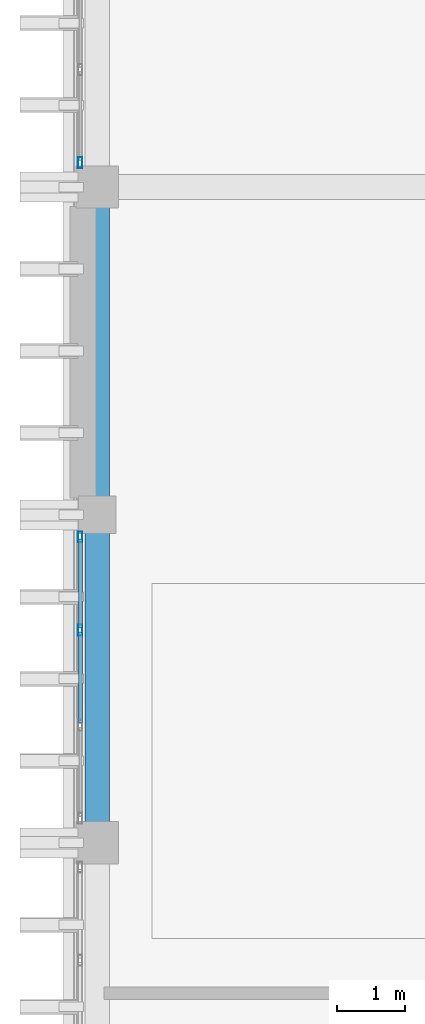
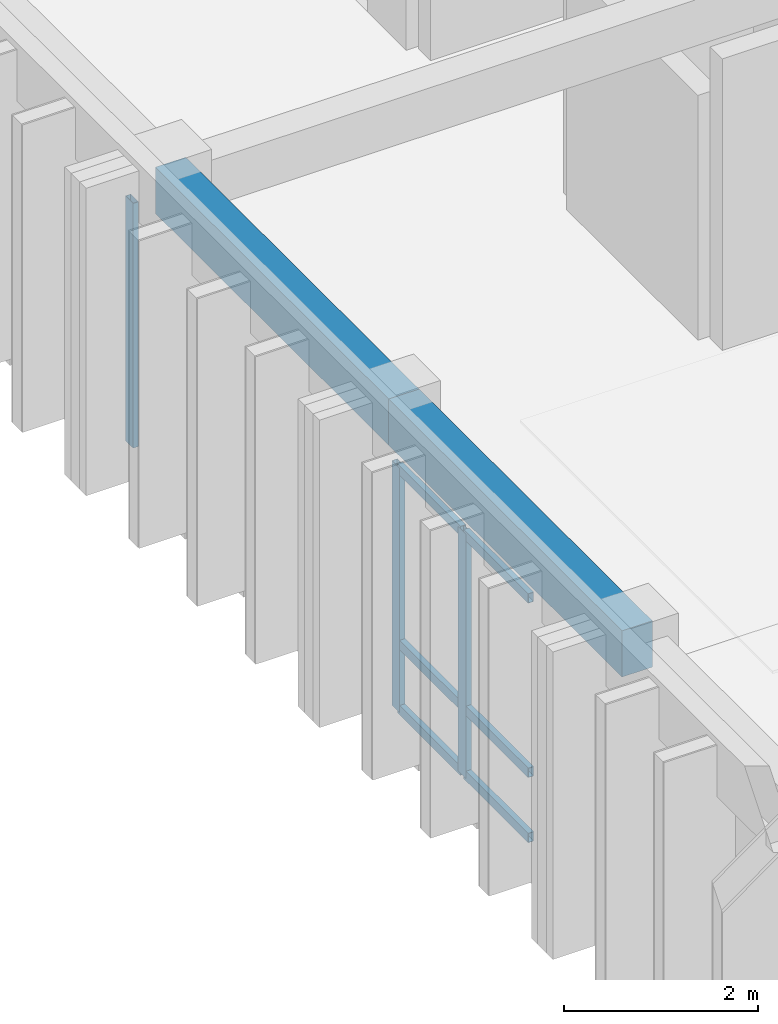
# One storey, part 28 of 50: 9 members, 2 beams, 2 elements without a shape of their own.
"""IFC4 building model written with IfcOpenShell, lengths in metres."""

from ifc_helpers import new_model, si_unit, direction, frame, origin, origin_2d, place, context, subcontext, project, spatial, rectangle, hollow_rectangle, extrude, material, layer, layer_set, material_profile, profile_set, type_object, element, aggregate, save


model = new_model("IFC4")

# Units and contexts
model_context = context("Model", 3, precision=1e-05, world=origin(), true_north=direction((0.0, 1.0)))
body_context = subcontext(model_context, "Body", "Model", "MODEL_VIEW")
ifc_project = project(units=[si_unit("LENGTHUNIT", "METRE"), si_unit("AREAUNIT", "SQUARE_METRE"), si_unit("VOLUMEUNIT", "CUBIC_METRE"), si_unit("PLANEANGLEUNIT", "RADIAN"), si_unit("MASSUNIT", "GRAM", prefix="KILO")], contexts=[model_context])

# Site, building, storey
site_placement = place(None, origin())
site = spatial("IfcSite", under=ifc_project, at=site_placement, CompositionType="ELEMENT")
building_placement = place(site_placement, origin())
building = spatial("IfcBuilding", under=site, at=building_placement, Name="Nakhvara Creek Congress Hotel", CompositionType="ELEMENT")
storey_placement = place(building_placement, frame((0.0, 0.0, 42.60009765625)))
storey = spatial("IfcBuildingStorey", under=building, at=storey_placement, Name="L10", CompositionType="ELEMENT", Elevation=42.60009765625)

# Beams
ifc_material_1 = material(Name="Concrete C40/50", Category="concrete")
ifc_material_profile_1 = material_profile(ifc_material_1, rectangle(XDim=0.360107421875, YDim=0.580078125, at=origin_2d()), Name="RC-BM 360x580", Category="LoadBearing")
ifc_profile_set_1 = profile_set([ifc_material_profile_1], Name="Concrete C40/50")
beam_type = type_object("IfcBeamType", Name="BM-RC-360X580", PredefinedType="BEAM", material=ifc_profile_set_1)
beam_1_placement = place(storey_placement, frame((149.449951171875, 105.60009765625, 3.369873046875), z_axis=(0.0, 1.0, 0.0), x_axis=(-1.0, 0.0, 0.0)))
element("IfcBeam", 1, at=beam_1_placement, inside=storey, type_object=beam_type, Name="Beam B09-L10-2642", PredefinedType="BEAM", context=body_context, shape_type="SweptSolid", body=[
    extrude(rectangle(XDim=0.360107421875, YDim=0.580078125, at=origin_2d()), origin(), (0.0, 0.0, 1.0), 4.7998046875),
])
beam_2_placement = place(storey_placement, frame((149.449951171875, 110.39990234375, 3.369873046875), z_axis=(0.0, 1.0, 0.0), x_axis=(-1.0, 0.0, 0.0)))
element("IfcBeam", 2, at=beam_2_placement, inside=storey, type_object=beam_type, Name="Beam B09-L10-2644", PredefinedType="BEAM", context=body_context, shape_type="SweptSolid", body=[
    extrude(rectangle(XDim=0.360107421875, YDim=0.580078125, at=origin_2d()), origin(), (0.0, 0.0, 1.0), 4.800048828125),
])

# Curtain wall, members
ifc_material_2 = material(Name="Bronze-anodised aluminium AW-6063-T6 and double-silver low-E glass", Category="aluminium")
ifc_layer = layer(ifc_material_2, 0.199951171875)
ifc_layer_set = layer_set([ifc_layer], Name="Bronze-anodised aluminium AW-6063-T6 and double-silver low-E glass")
curtain_wall_type = type_object("IfcCurtainWallType", Name="CW-HTL-UNIT", PredefinedType="USERDEFINED", material=ifc_layer_set)
curtain_wall_1_placement = place(storey_placement, origin())
curtain_wall_1 = element("IfcCurtainWall", 3, at=curtain_wall_1_placement, inside=storey, type_object=curtain_wall_type, Name="Curtain Wall CW327", ObjectType="UNITISED", PredefinedType="USERDEFINED")
ifc_material_3 = material(Name="Bronze-anodised aluminium AW-6063-T6", Category="aluminium")
ifc_material_profile_2 = material_profile(ifc_material_3, hollow_rectangle(XDim=0.06494140625, YDim=0.159912109375, WallThickness=0.00390625, at=origin_2d()), Name="ALU-MULL 65x160x4", Category="LoadBearing")
ifc_profile_set_2 = profile_set([ifc_material_profile_2], Name="Bronze-anodised aluminium AW-6063-T6")
member_type_1 = type_object("IfcMemberType", Name="CW-MULL-160", PredefinedType="MULLION", material=ifc_profile_set_2)
member_1_placement = place(storey_placement, frame((149.199951171875, 108.715087890625, 0.0), z_axis=(0.0, 0.0, 1.0), x_axis=(-1.0, 0.0, 0.0)))
member_1 = element("IfcMember", 4, at=member_1_placement, type_object=member_type_1, Name="CW327 mullion 3", PredefinedType="MULLION", context=body_context, shape_type="SweptSolid", body=[
    extrude(hollow_rectangle(XDim=0.06494140625, YDim=0.159912109375, WallThickness=0.00390625, at=origin_2d()), origin(), (0.0, 0.0, 1.0), 3.072021484375),
])
member_2_placement = place(storey_placement, frame((149.199951171875, 110.077392578125, 0.0), z_axis=(0.0, 0.0, 1.0), x_axis=(-1.0, 0.0, 0.0)))
member_2 = element("IfcMember", 5, at=member_2_placement, type_object=member_type_1, Name="CW327 mullion 4", PredefinedType="MULLION", context=body_context, shape_type="SweptSolid", body=[
    extrude(hollow_rectangle(XDim=0.06494140625, YDim=0.159912109375, WallThickness=0.00390625, at=origin_2d()), origin(), (0.0, 0.0, 1.0), 3.072021484375),
])

# Curtain wall, member
curtain_wall_2_placement = place(storey_placement, origin())
curtain_wall_2 = element("IfcCurtainWall", 6, at=curtain_wall_2_placement, inside=storey, type_object=curtain_wall_type, Name="Curtain Wall CW329", ObjectType="UNITISED", PredefinedType="USERDEFINED")
member_3_placement = place(storey_placement, frame((149.199951171875, 115.5576171875, 0.0), z_axis=(0.0, 0.0, 1.0), x_axis=(-1.0, 0.0, 0.0)))
member_3 = element("IfcMember", 7, at=member_3_placement, type_object=member_type_1, Name="CW329 mullion 1", PredefinedType="MULLION", context=body_context, shape_type="SweptSolid", body=[
    extrude(hollow_rectangle(XDim=0.06494140625, YDim=0.159912109375, WallThickness=0.00390625, at=origin_2d()), origin(), (0.0, 0.0, 1.0), 3.072021484375),
])
aggregate(curtain_wall_2, [member_3])

# Member
ifc_material_profile_3 = material_profile(ifc_material_3, hollow_rectangle(XDim=0.06494140625, YDim=0.1201171875, WallThickness=0.00390625, at=origin_2d()), Name="ALU-TRAN 65x120x4", Category="LoadBearing")
ifc_profile_set_3 = profile_set([ifc_material_profile_3], Name="Bronze-anodised aluminium AW-6063-T6")
member_type_2 = type_object("IfcMemberType", Name="CW-TRAN-120", PredefinedType="USERDEFINED", material=ifc_profile_set_3)
member_4_placement = place(storey_placement, frame((149.199951171875, 107.3525390625, 0.032470703125), z_axis=(0.0, 1.0, 0.0), x_axis=(-1.0, 0.0, 0.0)))
member_4 = element("IfcMember", 8, at=member_4_placement, type_object=member_type_2, Name="CW327 transom 2.1", ObjectType="TRANSOM", PredefinedType="USERDEFINED", context=body_context, shape_type="SweptSolid", body=[
    extrude(hollow_rectangle(XDim=0.06494140625, YDim=0.1201171875, WallThickness=0.00390625, at=origin_2d()), origin(), (0.0, 0.0, 1.0), 1.330078125),
])

member_5_placement = place(storey_placement, frame((149.199951171875, 107.3525390625, 0.849853515625), z_axis=(0.0, 1.0, 0.0), x_axis=(-1.0, 0.0, 0.0)))
member_5 = element("IfcMember", 9, at=member_5_placement, type_object=member_type_2, Name="CW327 transom 2.2", ObjectType="TRANSOM", PredefinedType="USERDEFINED", context=body_context, shape_type="SweptSolid", body=[
    extrude(hollow_rectangle(XDim=0.06494140625, YDim=0.1201171875, WallThickness=0.00390625, at=origin_2d()), origin(), (0.0, 0.0, 1.0), 1.330078125),
])

member_6_placement = place(storey_placement, frame((149.199951171875, 107.3525390625, 3.039306640625), z_axis=(0.0, 1.0, 0.0), x_axis=(-1.0, 0.0, 0.0)))
member_6 = element("IfcMember", 10, at=member_6_placement, type_object=member_type_2, Name="CW327 transom 2.3", ObjectType="TRANSOM", PredefinedType="USERDEFINED", context=body_context, shape_type="SweptSolid", body=[
    extrude(hollow_rectangle(XDim=0.06494140625, YDim=0.1201171875, WallThickness=0.00390625, at=origin_2d()), origin(), (0.0, 0.0, 1.0), 1.330078125),
])

member_7_placement = place(storey_placement, frame((149.199951171875, 108.74755859375, 0.032470703125), z_axis=(0.0, 1.0, 0.0), x_axis=(-1.0, 0.0, 0.0)))
member_7 = element("IfcMember", 11, at=member_7_placement, type_object=member_type_2, Name="CW327 transom 3.1", ObjectType="TRANSOM", PredefinedType="USERDEFINED", context=body_context, shape_type="SweptSolid", body=[
    extrude(hollow_rectangle(XDim=0.06494140625, YDim=0.1201171875, WallThickness=0.00390625, at=origin_2d()), origin(), (0.0, 0.0, 1.0), 1.29736328125),
])

member_8_placement = place(storey_placement, frame((149.199951171875, 108.74755859375, 0.849853515625), z_axis=(0.0, 1.0, 0.0), x_axis=(-1.0, 0.0, 0.0)))
member_8 = element("IfcMember", 12, at=member_8_placement, type_object=member_type_2, Name="CW327 transom 3.2", ObjectType="TRANSOM", PredefinedType="USERDEFINED", context=body_context, shape_type="SweptSolid", body=[
    extrude(hollow_rectangle(XDim=0.06494140625, YDim=0.1201171875, WallThickness=0.00390625, at=origin_2d()), origin(), (0.0, 0.0, 1.0), 1.29736328125),
])

member_9_placement = place(storey_placement, frame((149.199951171875, 108.74755859375, 3.039306640625), z_axis=(0.0, 1.0, 0.0), x_axis=(-1.0, 0.0, 0.0)))
member_9 = element("IfcMember", 13, at=member_9_placement, type_object=member_type_2, Name="CW327 transom 3.3", ObjectType="TRANSOM", PredefinedType="USERDEFINED", context=body_context, shape_type="SweptSolid", body=[
    extrude(hollow_rectangle(XDim=0.06494140625, YDim=0.1201171875, WallThickness=0.00390625, at=origin_2d()), origin(), (0.0, 0.0, 1.0), 1.29736328125),
])

aggregate(curtain_wall_1, [member_1, member_2, member_4, member_5, member_6, member_7, member_8, member_9])

save(model, "model.ifc")
